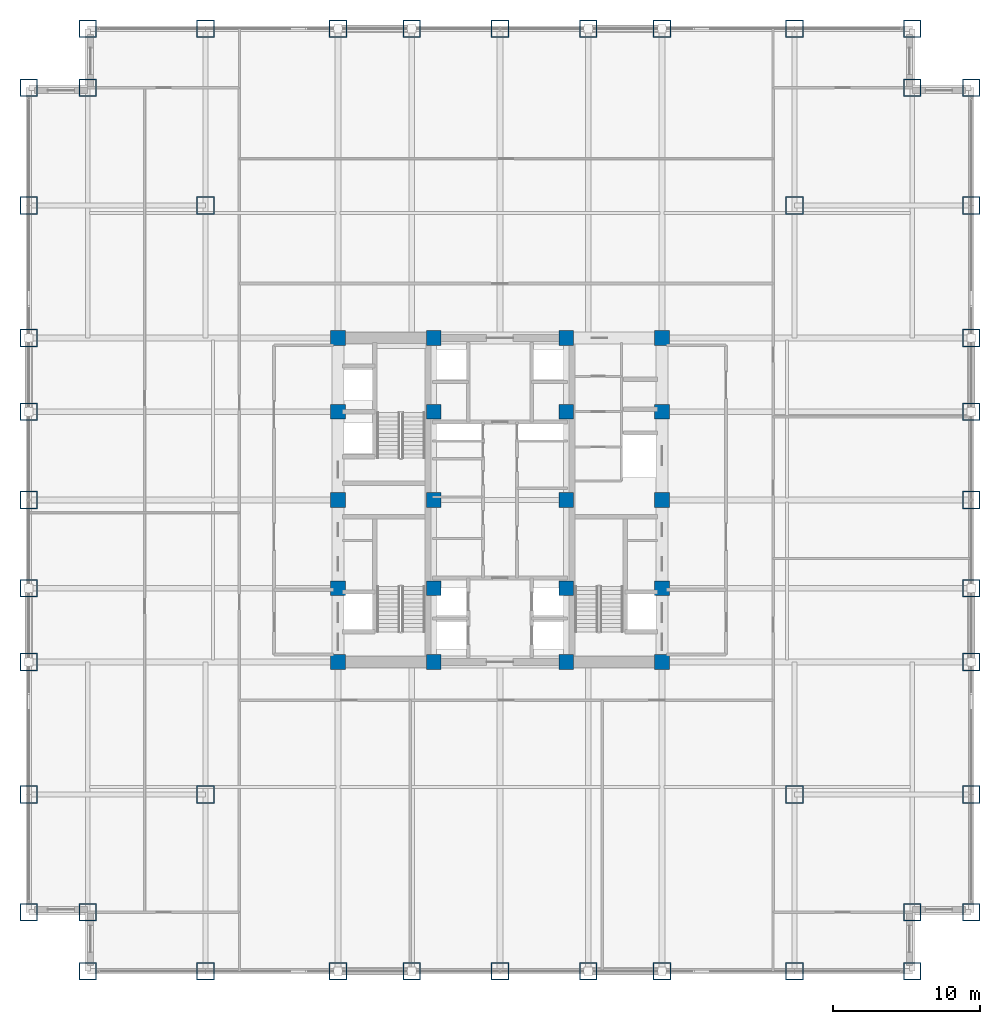
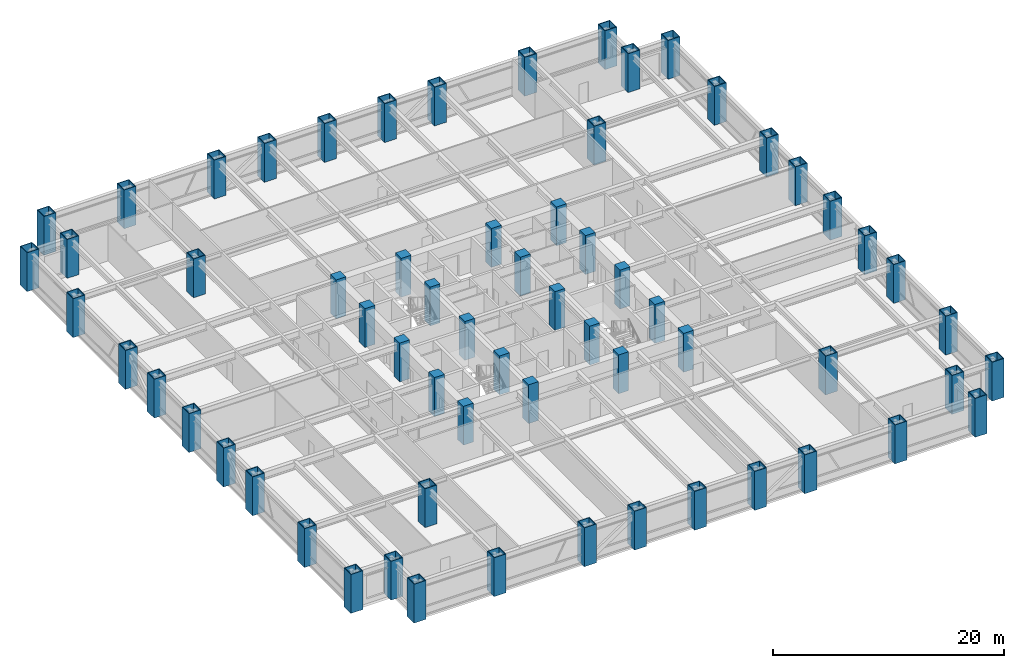
# One storey, part 1 of 27: 64 columns.
"""IFC4 building model written with IfcOpenShell, lengths in metres."""

from ifc_helpers import new_model, si_unit, direction, frame, origin, origin_2d, place, context, subcontext, project, spatial, rectangle, hollow_rectangle, extrude, source, transform, mapped, material, material_profile, profile_set, type_object, element, save


model = new_model("IFC4")

# Units and contexts
model_context = context("Model", 3, precision=1e-05, world=origin(), true_north=direction((0.0, 1.0)))
body_context = subcontext(model_context, "Body", "Model", "MODEL_VIEW")
ifc_project = project(units=[si_unit("LENGTHUNIT", "METRE"), si_unit("AREAUNIT", "SQUARE_METRE"), si_unit("VOLUMEUNIT", "CUBIC_METRE"), si_unit("PLANEANGLEUNIT", "RADIAN"), si_unit("MASSUNIT", "GRAM", prefix="KILO")], contexts=[model_context])

# Site, building, storey
site_placement = place(None, origin())
site = spatial("IfcSite", under=ifc_project, at=site_placement, CompositionType="ELEMENT")
building_placement = place(site_placement, origin())
building = spatial("IfcBuilding", under=site, at=building_placement, Name="Khorayat Bourse Tower", CompositionType="ELEMENT")
storey_placement = place(building_placement, frame((0.0, 0.0, 107.800048828125)))
storey = spatial("IfcBuildingStorey", under=building, at=storey_placement, Name="L24", CompositionType="ELEMENT", Elevation=107.800048828125)

# Columns
ifc_material_1 = material(Name="Steel EN 10025-4 S460M", Category="steel")
ifc_material_profile_1 = material_profile(ifc_material_1, hollow_rectangle(XDim=1.199951171875, YDim=1.199951171875, WallThickness=0.070068359375, at=origin_2d()), Name="BOX 1200x1200x70")
ifc_profile_set_1 = profile_set([ifc_material_profile_1], Name="Steel EN 10025-4 S460M")
column_type_1 = type_object("IfcColumnType", Name="COL-TUBE-1200", PredefinedType="COLUMN", material=ifc_profile_set_1)
shared_shape_1 = source(origin(), body_context, "Body", "SweptSolid", [
    extrude(hollow_rectangle(XDim=1.199951171875, YDim=1.199951171875, WallThickness=0.070068359375, at=origin_2d()), origin(), (0.0, 0.0, 1.0), 4.099853515625),
])
for number, where, z_axis, x_axis, name in (
    (1, (-32.0, -28.0, 0.0), (0.0, 0.0, 1.0), (1.0, 0.0, 0.0), "L24 Column 001"),
    (2, (-32.0, -20.0, 0.0), (0.0, 0.0, 1.0), (1.0, 0.0, 0.0), "L24 Column 002"),
    (3, (-32.0, -11.0, 0.0), (0.0, 0.0, 1.0), (1.0, 0.0, 0.0), "L24 Column 003"),
    (4, (-32.0, -6.0, 0.0), (0.0, 0.0, 1.0), (1.0, 0.0, 0.0), "L24 Column 004"),
    (5, (-32.0, 0.0, 0.0), (0.0, 0.0, 1.0), (1.0, 0.0, 0.0), "L24 Column 005"),
    (6, (-32.0, 6.0, 0.0), (0.0, 0.0, 1.0), (1.0, 0.0, 0.0), "L24 Column 006"),
    (7, (-32.0, 11.0, 0.0), (0.0, 0.0, 1.0), (1.0, 0.0, 0.0), "L24 Column 007"),
    (8, (-32.0, 20.0, 0.0), (0.0, 0.0, 1.0), (1.0, 0.0, 0.0), "L24 Column 008"),
    (9, (-32.0, 28.0, 0.0), (0.0, 0.0, 1.0), (1.0, 0.0, 0.0), "L24 Column 009"),
    (10, (-28.0, -32.0, 0.0), (0.0, 0.0, 1.0), (1.0, 0.0, 0.0), "L24 Column 010"),
    (11, (-28.0, -28.0, 0.0), (0.0, 0.0, 1.0), (1.0, 0.0, 0.0), "L24 Column 011"),
    (12, (-28.0, 28.0, 0.0), (0.0, 0.0, 1.0), (1.0, 0.0, 0.0), "L24 Column 012"),
    (13, (-28.0, 32.0, 0.0), (0.0, 0.0, 1.0), (1.0, 0.0, 0.0), "L24 Column 013"),
    (14, (-20.0, -32.0, 0.0), (0.0, 0.0, 1.0), (1.0, 0.0, 0.0), "L24 Column 014"),
    (15, (-20.0, -20.0, 0.0), (0.0, 0.0, 1.0), (1.0, 0.0, 0.0), "L24 Column 015"),
    (16, (-20.0, 20.0, 0.0), (0.0, 0.0, 1.0), (1.0, 0.0, 0.0), "L24 Column 016"),
    (17, (-20.0, 32.0, 0.0), (0.0, 0.0, 1.0), (1.0, 0.0, 0.0), "L24 Column 017"),
    (18, (-11.0, -32.0, 0.0), (0.0, 0.0, 1.0), (1.0, 0.0, 0.0), "L24 Column 018"),
    (19, (-11.0, 32.0, 0.0), (0.0, 0.0, 1.0), (1.0, 0.0, 0.0), "L24 Column 024"),
    (20, (-6.0, -32.0, 0.0), (0.0, 0.0, 1.0), (1.0, 0.0, 0.0), "L24 Column 025"),
    (21, (-6.0, 32.0, 0.0), (0.0, 0.0, 1.0), (1.0, 0.0, 0.0), "L24 Column 026"),
    (22, (0.0, -32.0, 0.0), (0.0, 0.0, 1.0), (1.0, 0.0, 0.0), "L24 Column 032"),
    (23, (0.0, 32.0, 0.0), (0.0, 0.0, 1.0), (1.0, 0.0, 0.0), "L24 Column 033"),
    (24, (6.0, -32.0, 0.0), (0.0, 0.0, 1.0), (1.0, 0.0, 0.0), "L24 Column 039"),
    (25, (6.0, 32.0, 0.0), (0.0, 0.0, 1.0), (1.0, 0.0, 0.0), "L24 Column 040"),
    (26, (11.0, -32.0, 0.0), (0.0, 0.0, 1.0), (1.0, 0.0, 0.0), "L24 Column 041"),
    (27, (11.0, 32.0, 0.0), (0.0, 0.0, 1.0), (1.0, 0.0, 0.0), "L24 Column 047"),
    (28, (20.0, -32.0, 0.0), (0.0, 0.0, 1.0), (1.0, 0.0, 0.0), "L24 Column 048"),
    (29, (20.0, -20.0, 0.0), (0.0, 0.0, 1.0), (1.0, 0.0, 0.0), "L24 Column 049"),
    (30, (20.0, 20.0, 0.0), (0.0, 0.0, 1.0), (1.0, 0.0, 0.0), "L24 Column 050"),
    (31, (20.0, 32.0, 0.0), (0.0, 0.0, 1.0), (1.0, 0.0, 0.0), "L24 Column 051"),
    (32, (28.0, -32.0, 0.0), (0.0, 0.0, 1.0), (1.0, 0.0, 0.0), "L24 Column 052"),
    (33, (28.0, -28.0, 0.0), (0.0, 0.0, 1.0), (1.0, 0.0, 0.0), "L24 Column 053"),
    (34, (28.0, 28.0, 0.0), (0.0, 0.0, 1.0), (1.0, 0.0, 0.0), "L24 Column 054"),
    (35, (28.0, 32.0, 0.0), (0.0, 0.0, 1.0), (1.0, 0.0, 0.0), "L24 Column 055"),
    (36, (32.0, -28.0, 0.0), (0.0, 0.0, 1.0), (1.0, 0.0, 0.0), "L24 Column 056"),
    (37, (32.0, -20.0, 0.0), (0.0, 0.0, 1.0), (1.0, 0.0, 0.0), "L24 Column 057"),
    (38, (32.0, -11.0, 0.0), (0.0, 0.0, 1.0), (1.0, 0.0, 0.0), "L24 Column 058"),
    (39, (32.0, -6.0, 0.0), (0.0, 0.0, 1.0), (1.0, 0.0, 0.0), "L24 Column 059"),
    (40, (32.0, 0.0, 0.0), (0.0, 0.0, 1.0), (1.0, 0.0, 0.0), "L24 Column 060"),
    (41, (32.0, 6.0, 0.0), (0.0, 0.0, 1.0), (1.0, 0.0, 0.0), "L24 Column 061"),
    (42, (32.0, 11.0, 0.0), (0.0, 0.0, 1.0), (1.0, 0.0, 0.0), "L24 Column 062"),
    (43, (32.0, 20.0, 0.0), (0.0, 0.0, 1.0), (1.0, 0.0, 0.0), "L24 Column 063"),
    (44, (32.0, 28.0, 0.0), (0.0, 0.0, 1.0), (1.0, 0.0, 0.0), "L24 Column 064"),
):
    element("IfcColumn", number, at=place(storey_placement, frame(where, z_axis=z_axis, x_axis=x_axis)), inside=storey, type_object=column_type_1, Name=name, PredefinedType="COLUMN", context=body_context, shape_type="MappedRepresentation", body=[
        mapped(shared_shape_1, transform((0.0, 0.0, 0.0), scale=1.0)),
    ])
ifc_material_2 = material(Name="Concrete C72/90", Category="concrete")
ifc_material_profile_2 = material_profile(ifc_material_2, rectangle(XDim=1.0, YDim=1.0, at=origin_2d()), Name="RC 1000x1000")
ifc_profile_set_2 = profile_set([ifc_material_profile_2], Name="Concrete C72/90")
column_type_2 = type_object("IfcColumnType", Name="COL-CORE-1000", PredefinedType="COLUMN", material=ifc_profile_set_2)
shared_shape_2 = source(origin(), body_context, "Body", "SweptSolid", [
    extrude(rectangle(XDim=1.0, YDim=1.0, at=origin_2d()), origin(), (0.0, 0.0, 1.0), 4.099853515625),
])
for number, where, z_axis, x_axis, name in (
    (45, (-11.0, -11.0, 0.0), (0.0, 0.0, 1.0), (1.0, 0.0, 0.0), "L24 Column 019"),
    (46, (-11.0, -6.0, 0.0), (0.0, 0.0, 1.0), (1.0, 0.0, 0.0), "L24 Column 020"),
    (47, (-11.0, 0.0, 0.0), (0.0, 0.0, 1.0), (1.0, 0.0, 0.0), "L24 Column 021"),
    (48, (-11.0, 6.0, 0.0), (0.0, 0.0, 1.0), (1.0, 0.0, 0.0), "L24 Column 022"),
    (49, (-11.0, 11.0, 0.0), (0.0, 0.0, 1.0), (1.0, 0.0, 0.0), "L24 Column 023"),
    (50, (-4.5, -11.0, 0.0), (0.0, 0.0, 1.0), (1.0, 0.0, 0.0), "L24 Column 027"),
    (51, (-4.5, -6.0, 0.0), (0.0, 0.0, 1.0), (1.0, 0.0, 0.0), "L24 Column 028"),
    (52, (-4.5, 0.0, 0.0), (0.0, 0.0, 1.0), (1.0, 0.0, 0.0), "L24 Column 029"),
    (53, (-4.5, 6.0, 0.0), (0.0, 0.0, 1.0), (1.0, 0.0, 0.0), "L24 Column 030"),
    (54, (-4.5, 11.0, 0.0), (0.0, 0.0, 1.0), (1.0, 0.0, 0.0), "L24 Column 031"),
    (55, (4.5, -11.0, 0.0), (0.0, 0.0, 1.0), (1.0, 0.0, 0.0), "L24 Column 034"),
    (56, (4.5, -6.0, 0.0), (0.0, 0.0, 1.0), (1.0, 0.0, 0.0), "L24 Column 035"),
    (57, (4.5, 0.0, 0.0), (0.0, 0.0, 1.0), (1.0, 0.0, 0.0), "L24 Column 036"),
    (58, (4.5, 6.0, 0.0), (0.0, 0.0, 1.0), (1.0, 0.0, 0.0), "L24 Column 037"),
    (59, (4.5, 11.0, 0.0), (0.0, 0.0, 1.0), (1.0, 0.0, 0.0), "L24 Column 038"),
    (60, (11.0, -11.0, 0.0), (0.0, 0.0, 1.0), (1.0, 0.0, 0.0), "L24 Column 042"),
    (61, (11.0, -6.0, 0.0), (0.0, 0.0, 1.0), (1.0, 0.0, 0.0), "L24 Column 043"),
    (62, (11.0, 0.0, 0.0), (0.0, 0.0, 1.0), (1.0, 0.0, 0.0), "L24 Column 044"),
    (63, (11.0, 6.0, 0.0), (0.0, 0.0, 1.0), (1.0, 0.0, 0.0), "L24 Column 045"),
    (64, (11.0, 11.0, 0.0), (0.0, 0.0, 1.0), (1.0, 0.0, 0.0), "L24 Column 046"),
):
    element("IfcColumn", number, at=place(storey_placement, frame(where, z_axis=z_axis, x_axis=x_axis)), inside=storey, type_object=column_type_2, Name=name, PredefinedType="COLUMN", context=body_context, shape_type="MappedRepresentation", body=[
        mapped(shared_shape_2, transform((0.0, 0.0, 0.0), scale=1.0)),
    ])

save(model, "model.ifc")
